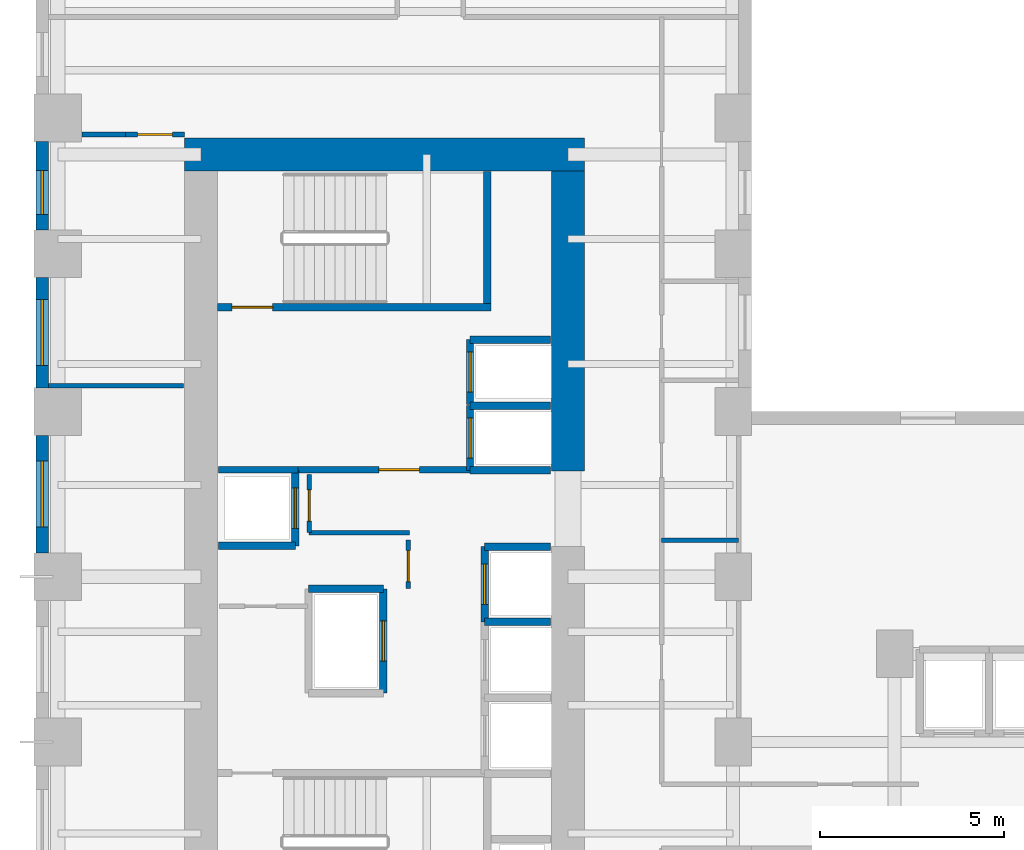
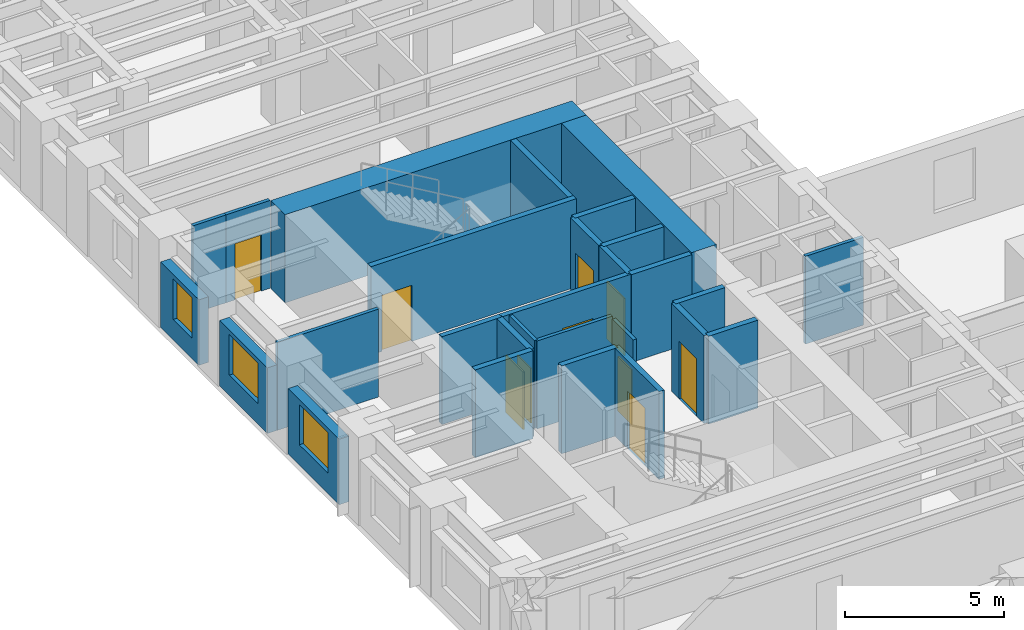
# One storey, part 5 of 11: 28 walls, 10 doors, 3 windows, 13 openings.
"""IFC4 building model written with IfcOpenShell, lengths in metres."""

from ifc_helpers import new_model, si_unit, direction, frame, frame_2d, origin, place, context, subcontext, project, spatial, rectangle, extrude, source, transform, mapped, material, layer, layer_set, type_object, element, fill, save


model = new_model("IFC4")

# Units and contexts
model_context = context("Model", 3, precision=1e-05, world=origin(), true_north=direction((0.0, 1.0)))
body_context = subcontext(model_context, "Body", "Model", "MODEL_VIEW")
ifc_project = project(units=[si_unit("LENGTHUNIT", "METRE"), si_unit("AREAUNIT", "SQUARE_METRE"), si_unit("VOLUMEUNIT", "CUBIC_METRE"), si_unit("PLANEANGLEUNIT", "RADIAN"), si_unit("MASSUNIT", "GRAM", prefix="KILO")], contexts=[model_context])

# Site, building, storey
site_placement = place(None, origin())
site = spatial("IfcSite", under=ifc_project, at=site_placement, CompositionType="ELEMENT")
building_placement = place(site_placement, origin())
building = spatial("IfcBuilding", under=site, at=building_placement, Name="Kharzan Plaza Tower", CompositionType="ELEMENT")
storey_placement = place(building_placement, frame((0.0, 0.0, 54.89990234375)))
storey = spatial("IfcBuildingStorey", under=building, at=storey_placement, Name="L14", CompositionType="ELEMENT", Elevation=54.89990234375)

# Wall, opening, window
ifc_material_1 = material(Name="Concrete C40/50", Category="concrete")
ifc_layer_1 = layer(ifc_material_1, 0.35009765625)
ifc_layer_set_1 = layer_set([ifc_layer_1], Name="Concrete C40/50")
wall_type_1 = type_object("IfcWallType", Name="WL-EXT-MAS-Z1", PredefinedType="SOLIDWALL", material=ifc_layer_set_1)
wall_1_placement = place(storey_placement, frame((0.175048828125, 29.85205078125, 0.0), z_axis=(0.0, 0.0, 1.0), x_axis=(0.0, -1.0, 0.0)))
wall_1 = element("IfcWall", 1, at=wall_1_placement, inside=storey, type_object=wall_type_1, Name="L14 Masonry-Frame Exterior Wall 14", PredefinedType="SOLIDWALL", context=body_context, shape_type="SweptSolid", body=[
    extrude(rectangle(XDim=2.404052734375, YDim=0.35009765625, at=frame_2d((1.2021484375, 0.0))), origin(), (0.0, 0.0, 1.0), 2.510009765625),
])
opening_1_placement = place(wall_1_placement, frame((0.786865234375, 0.0, 0.780029296875)))
opening_1 = element("IfcOpeningElement", 2, at=opening_1_placement, cuts=wall_1, Name="Opening W3", PredefinedType="OPENING", context=body_context, shape_type="SweptSolid", body=[
    extrude(rectangle(XDim=1.199951171875, YDim=1.550048828125, at=frame_2d((0.60009765625, 0.77490234375))), frame((0.0, 0.18505859375, 0.0), z_axis=(0.0, -1.0, 0.0), x_axis=(1.0, 0.0, 0.0)), (0.0, 0.0, 1.0), 0.3701171875),
])
ifc_material_2 = material(Name="Low-E Double Glazing", Category="glass")
window_type_1 = type_object("IfcWindowType", Name="WN-REC-1200x2100", PartitioningType="SINGLE_PANEL", PredefinedType="WINDOW", material=ifc_material_2)
shared_shape_1 = source(origin(), body_context, "Body", "SweptSolid", [
    extrude(rectangle(XDim=1.199951171875, YDim=1.550048828125, at=frame_2d((0.60009765625, 0.77490234375))), frame((0.0, 0.030029296875, 0.0), z_axis=(0.0, -1.0, 0.0), x_axis=(1.0, 0.0, 0.0)), (0.0, 0.0, 1.0), 0.06005859375),
])
window_1_placement = place(opening_1_placement, origin())
window_1 = element("IfcWindow", 3, at=window_1_placement, inside=storey, type_object=window_type_1, Name="L14 Recessed Solar-Control Window 14-1", OverallHeight=1.550048828125, OverallWidth=1.199951171875, PartitioningType="SINGLE_PANEL", PredefinedType="WINDOW", context=body_context, shape_type="MappedRepresentation", body=[
    mapped(shared_shape_1, transform((0.0, 0.0, 0.0), x_axis=(1.0, 0.0, 0.0), y_axis=(0.0, 1.0, 0.0), z_axis=(0.0, 0.0, 1.0))),
])
fill(opening_1, window_1)

wall_2_placement = place(storey_placement, frame((0.175048828125, 26.152099609375, 0.0), z_axis=(0.0, 0.0, 1.0), x_axis=(0.0, -1.0, 0.0)))
wall_2 = element("IfcWall", 4, at=wall_2_placement, inside=storey, type_object=wall_type_1, Name="L14 Masonry-Frame Exterior Wall 15", PredefinedType="SOLIDWALL", context=body_context, shape_type="SweptSolid", body=[
    extrude(rectangle(XDim=3.004150390625, YDim=0.35009765625, at=frame_2d((1.501953125, 0.0))), origin(), (0.0, 0.0, 1.0), 2.510009765625),
])
opening_2_placement = place(wall_2_placement, frame((0.60205078125, 0.0, 0.780029296875)))
opening_2 = element("IfcOpeningElement", 5, at=opening_2_placement, cuts=wall_2, Name="Opening W1", PredefinedType="OPENING", context=body_context, shape_type="SweptSolid", body=[
    extrude(rectangle(XDim=1.800048828125, YDim=1.550048828125, at=frame_2d((0.89990234375, 0.77490234375))), frame((0.0, 0.18505859375, 0.0), z_axis=(0.0, -1.0, 0.0), x_axis=(1.0, 0.0, 0.0)), (0.0, 0.0, 1.0), 0.3701171875),
])
window_type_2 = type_object("IfcWindowType", Name="WN-REC-1800x2100", PartitioningType="SINGLE_PANEL", PredefinedType="WINDOW", material=ifc_material_2)
shared_shape_2 = source(origin(), body_context, "Body", "SweptSolid", [
    extrude(rectangle(XDim=1.800048828125, YDim=1.550048828125, at=frame_2d((0.89990234375, 0.77490234375))), frame((0.0, 0.030029296875, 0.0), z_axis=(0.0, -1.0, 0.0), x_axis=(1.0, 0.0, 0.0)), (0.0, 0.0, 1.0), 0.06005859375),
])
window_2_placement = place(opening_2_placement, origin())
window_2 = element("IfcWindow", 6, at=window_2_placement, inside=storey, type_object=window_type_2, Name="L14 Recessed Solar-Control Window 15-1", OverallHeight=1.550048828125, OverallWidth=1.800048828125, PartitioningType="SINGLE_PANEL", PredefinedType="WINDOW", context=body_context, shape_type="MappedRepresentation", body=[
    mapped(shared_shape_2, transform((0.0, 0.0, 0.0), x_axis=(1.0, 0.0, 0.0), y_axis=(0.0, 1.0, 0.0), z_axis=(0.0, 0.0, 1.0))),
])
fill(opening_2, window_2)

wall_3_placement = place(storey_placement, frame((0.175048828125, 21.85205078125, 0.0), z_axis=(0.0, 0.0, 1.0), x_axis=(0.0, -1.0, 0.0)))
wall_3 = element("IfcWall", 7, at=wall_3_placement, inside=storey, type_object=wall_type_1, Name="L14 Masonry-Frame Exterior Wall 16", PredefinedType="SOLIDWALL", context=body_context, shape_type="SweptSolid", body=[
    extrude(rectangle(XDim=3.2041015625, YDim=0.35009765625, at=frame_2d((1.60205078125, 0.0))), origin(), (0.0, 0.0, 1.0), 2.510009765625),
])
opening_3_placement = place(wall_3_placement, frame((0.701904296875, 0.0, 0.780029296875)))
opening_3 = element("IfcOpeningElement", 8, at=opening_3_placement, cuts=wall_3, Name="Opening W1", PredefinedType="OPENING", context=body_context, shape_type="SweptSolid", body=[
    extrude(rectangle(XDim=1.800048828125, YDim=1.550048828125, at=frame_2d((0.89990234375, 0.77490234375))), frame((0.0, 0.18505859375, 0.0), z_axis=(0.0, -1.0, 0.0), x_axis=(1.0, 0.0, 0.0)), (0.0, 0.0, 1.0), 0.3701171875),
])
window_3_placement = place(opening_3_placement, origin())
window_3 = element("IfcWindow", 9, at=window_3_placement, inside=storey, type_object=window_type_2, Name="L14 Recessed Solar-Control Window 16-1", OverallHeight=1.550048828125, OverallWidth=1.800048828125, PartitioningType="SINGLE_PANEL", PredefinedType="WINDOW", context=body_context, shape_type="MappedRepresentation", body=[
    mapped(shared_shape_2, transform((0.0, 0.0, 0.0), x_axis=(1.0, 0.0, 0.0), y_axis=(0.0, 1.0, 0.0), z_axis=(0.0, 0.0, 1.0))),
])
fill(opening_3, window_3)

# Wall, opening, door
ifc_layer_2 = layer(ifc_material_1, 0.179931640625)
ifc_layer_set_2 = layer_set([ifc_layer_2], Name="Concrete C40/50")
wall_type_2 = type_object("IfcWallType", Name="WL-INT-FIRE-180", PredefinedType="PARTITIONING", material=ifc_layer_set_2)
wall_4_placement = place(storey_placement, frame((7.14990234375, 20.919921875, 0.0), z_axis=(0.0, 0.0, 1.0), x_axis=(1.0, 0.0, 0.0)))
wall_4 = element("IfcWall", 10, at=wall_4_placement, inside=storey, type_object=wall_type_2, Name="L14 Interior Partition CA-FF-S", PredefinedType="PARTITIONING", context=body_context, shape_type="SweptSolid", body=[
    extrude(rectangle(XDim=4.68017578125, YDim=0.179931640625, at=frame_2d((2.340087890625, 0.0))), origin(), (0.0, 0.0, 1.0), 3.364990234375),
])
opening_4_placement = place(wall_4_placement, frame((2.199951171875, 0.0, 0.0)))
opening_4 = element("IfcOpeningElement", 11, at=opening_4_placement, cuts=wall_4, Name="Opening FD1", PredefinedType="OPENING", context=body_context, shape_type="SweptSolid", body=[
    extrude(rectangle(XDim=1.10009765625, YDim=2.14990234375, at=frame_2d((0.550048828125, 1.074951171875))), frame((0.0, 0.099853515625, 0.0), z_axis=(0.0, -1.0, 0.0), x_axis=(1.0, 0.0, 0.0)), (0.0, 0.0, 1.0), 0.199951171875),
])
ifc_material_3 = material(Name="Fire-Rated Acoustic Vision-Panel Steel", Category="steel")
door_type_1 = type_object("IfcDoorType", Name="DR-FIRE-LOBBY", OperationType="NOTDEFINED", PredefinedType="DOOR", material=ifc_material_3)
shared_shape_3 = source(origin(), body_context, "Body", "SweptSolid", [
    extrude(rectangle(XDim=1.10009765625, YDim=2.14990234375, at=frame_2d((0.550048828125, 1.074951171875))), frame((0.0, 0.02490234375, 0.0), z_axis=(0.0, -1.0, 0.0), x_axis=(1.0, 0.0, 0.0)), (0.0, 0.0, 1.0), 0.050048828125),
])
door_1_placement = place(opening_4_placement, origin())
door_1 = element("IfcDoor", 12, at=door_1_placement, inside=storey, type_object=door_type_1, Name="L14 Firefighting Lobby Door", OperationType="SINGLE_SWING_LEFT", OverallHeight=2.14990234375, OverallWidth=1.10009765625, PredefinedType="DOOR", context=body_context, shape_type="MappedRepresentation", body=[
    mapped(shared_shape_3, transform((0.0, 0.0, 0.0), x_axis=(1.0, 0.0, 0.0), y_axis=(0.0, 1.0, 0.0), z_axis=(0.0, 0.0, 1.0))),
])
fill(opening_4, door_1)

ifc_material_4 = material(Name="Fire-Rated Gypsum Board Partition", Category="gypsum")
ifc_layer_3 = layer(ifc_material_4, 0.125)
ifc_layer_set_3 = layer_set([ifc_layer_3], Name="Fire-Rated Gypsum Board Partition")
wall_type_3 = type_object("IfcWallType", Name="WL-INT-PART-125", PredefinedType="PARTITIONING", material=ifc_layer_set_3)
wall_5_placement = place(storey_placement, frame((10.14990234375, 17.679931640625, 0.0), z_axis=(0.0, 0.0, 1.0), x_axis=(0.0, 1.0, 0.0)))
wall_5 = element("IfcWall", 13, at=wall_5_placement, inside=storey, type_object=wall_type_3, Name="L14 Interior Partition CA-K2A", PredefinedType="PARTITIONING", context=body_context, shape_type="SweptSolid", body=[
    extrude(rectangle(XDim=1.320068359375, YDim=0.125, at=frame_2d((0.66015625, 0.0))), origin(), (0.0, 0.0, 1.0), 3.364990234375),
])
opening_5_placement = place(wall_5_placement, frame((0.18505859375, 0.0, 0.0)))
opening_5 = element("IfcOpeningElement", 14, at=opening_5_placement, cuts=wall_5, Name="Opening RD1", PredefinedType="OPENING", context=body_context, shape_type="SweptSolid", body=[
    extrude(rectangle(XDim=0.85009765625, YDim=2.10009765625, at=frame_2d((0.425048828125, 1.050048828125))), frame((0.0, 0.072509765625, 0.0), z_axis=(0.0, -1.0, 0.0), x_axis=(1.0, 0.0, 0.0)), (0.0, 0.0, 1.0), 0.14501953125),
])
ifc_material_5 = material(Name="Powder-Coated Fire-Rated Steel", Category="steel")
door_type_2 = type_object("IfcDoorType", Name="DR-RISER-900", OperationType="NOTDEFINED", PredefinedType="DOOR", material=ifc_material_5)
shared_shape_4 = source(origin(), body_context, "Body", "SweptSolid", [
    extrude(rectangle(XDim=0.85009765625, YDim=2.10009765625, at=frame_2d((0.425048828125, 1.050048828125))), frame((0.0, 0.02490234375, 0.0), z_axis=(0.0, -1.0, 0.0), x_axis=(1.0, 0.0, 0.0)), (0.0, 0.0, 1.0), 0.050048828125),
])
door_2_placement = place(opening_5_placement, origin())
door_2 = element("IfcDoor", 15, at=door_2_placement, inside=storey, type_object=door_type_2, Name="L14 Core Mechanical Store Door", OperationType="SINGLE_SWING_RIGHT", OverallHeight=2.10009765625, OverallWidth=0.85009765625, PredefinedType="DOOR", context=body_context, shape_type="MappedRepresentation", body=[
    mapped(shared_shape_4, transform((0.0, 0.0, 0.0), x_axis=(1.0, 0.0, 0.0), y_axis=(0.0, 1.0, 0.0), z_axis=(0.0, 0.0, 1.0))),
])
fill(opening_5, door_2)

wall_6_placement = place(storey_placement, frame((7.449951171875, 19.199951171875, 0.0), z_axis=(0.0, 0.0, 1.0), x_axis=(0.0, 1.0, 0.0)))
wall_6 = element("IfcWall", 16, at=wall_6_placement, inside=storey, type_object=wall_type_3, Name="L14 Interior Partition CA-K2B", PredefinedType="PARTITIONING", context=body_context, shape_type="SweptSolid", body=[
    extrude(rectangle(XDim=1.580078125, YDim=0.125, at=frame_2d((0.7900390625, 0.0))), origin(), (0.0, 0.0, 1.0), 3.364990234375),
])
opening_6_placement = place(wall_6_placement, frame((0.31494140625, 0.0, 0.0)))
opening_6 = element("IfcOpeningElement", 17, at=opening_6_placement, cuts=wall_6, Name="Opening RD1", PredefinedType="OPENING", context=body_context, shape_type="SweptSolid", body=[
    extrude(rectangle(XDim=0.85009765625, YDim=2.10009765625, at=frame_2d((0.425048828125, 1.050048828125))), frame((0.0, 0.072509765625, 0.0), z_axis=(0.0, -1.0, 0.0), x_axis=(1.0, 0.0, 0.0)), (0.0, 0.0, 1.0), 0.14501953125),
])
door_3_placement = place(opening_6_placement, origin())
door_3 = element("IfcDoor", 18, at=door_3_placement, inside=storey, type_object=door_type_2, Name="L14 Core Plant Store Door", OperationType="SINGLE_SWING_LEFT", OverallHeight=2.10009765625, OverallWidth=0.85009765625, PredefinedType="DOOR", context=body_context, shape_type="MappedRepresentation", body=[
    mapped(shared_shape_4, transform((0.0, 0.0, 0.0), x_axis=(1.0, 0.0, 0.0), y_axis=(0.0, 1.0, 0.0), z_axis=(0.0, 0.0, 1.0))),
])
fill(opening_6, door_3)

wall_7_placement = place(storey_placement, frame((2.449951171875, 30.050048828125, 0.0), z_axis=(0.0, 0.0, 1.0), x_axis=(1.0, 0.0, 0.0)))
wall_7 = element("IfcWall", 19, at=wall_7_placement, inside=storey, type_object=wall_type_3, Name="L14 Interior Partition SH-RWND", PredefinedType="PARTITIONING", context=body_context, shape_type="SweptSolid", body=[
    extrude(rectangle(XDim=1.60009765625, YDim=0.125, at=frame_2d((0.800048828125, 0.0))), origin(), (0.0, 0.0, 1.0), 3.364990234375),
])
opening_7_placement = place(wall_7_placement, frame((0.324951171875, 0.0, 0.0)))
opening_7 = element("IfcOpeningElement", 20, at=opening_7_placement, cuts=wall_7, Name="Opening OD1", PredefinedType="OPENING", context=body_context, shape_type="SweptSolid", body=[
    extrude(rectangle(XDim=0.949951171875, YDim=2.14990234375, at=frame_2d((0.47509765625, 1.074951171875))), frame((0.0, 0.072509765625, 0.0), z_axis=(0.0, -1.0, 0.0), x_axis=(1.0, 0.0, 0.0)), (0.0, 0.0, 1.0), 0.14501953125),
])
ifc_material_6 = material(Name="Acoustic Solid-Core Stained Oak", Category="timber")
door_type_3 = type_object("IfcDoorType", Name="DR-OFF-SINGLE", OperationType="NOTDEFINED", PredefinedType="DOOR", material=ifc_material_6)
shared_shape_5 = source(origin(), body_context, "Body", "SweptSolid", [
    extrude(rectangle(XDim=0.949951171875, YDim=2.14990234375, at=frame_2d((0.47509765625, 1.074951171875))), frame((0.0, 0.02490234375, 0.0), z_axis=(0.0, -1.0, 0.0), x_axis=(1.0, 0.0, 0.0)), (0.0, 0.0, 1.0), 0.050048828125),
])
door_4_placement = place(opening_7_placement, origin())
door_4 = element("IfcDoor", 21, at=door_4_placement, inside=storey, type_object=door_type_3, Name="L14 West Office 2 Door", OperationType="SINGLE_SWING_LEFT", OverallHeight=2.14990234375, OverallWidth=0.949951171875, PredefinedType="DOOR", context=body_context, shape_type="MappedRepresentation", body=[
    mapped(shared_shape_5, transform((0.0, 0.0, 0.0), x_axis=(1.0, 0.0, 0.0), y_axis=(0.0, 1.0, 0.0), z_axis=(0.0, 0.0, 1.0))),
])
fill(opening_7, door_4)

ifc_layer_4 = layer(ifc_material_1, 0.199951171875)
ifc_layer_set_4 = layer_set([ifc_layer_4], Name="Concrete C40/50")
wall_type_4 = type_object("IfcWallType", Name="WL-INT-SHAFT-200", PredefinedType="PARTITIONING", material=ifc_layer_set_4)
wall_8_placement = place(storey_placement, frame((11.830078125, 20.89990234375, 0.0), z_axis=(0.0, 0.0, 1.0), x_axis=(0.0, 1.0, 0.0)))
wall_8 = element("IfcWall", 22, at=wall_8_placement, inside=storey, type_object=wall_type_4, Name="L14 Interior Partition SHF-FFL-1-W", PredefinedType="PARTITIONING", context=body_context, shape_type="SweptSolid", body=[
    extrude(rectangle(XDim=1.760009765625, YDim=0.199951171875, at=frame_2d((0.8798828125, 0.0))), origin(), (0.0, 0.0, 1.0), 3.364990234375),
])
opening_8_placement = place(wall_8_placement, frame((0.330078125, 0.0, 0.0)))
opening_8 = element("IfcOpeningElement", 23, at=opening_8_placement, cuts=wall_8, Name="Opening LD", PredefinedType="OPENING", context=body_context, shape_type="SweptSolid", body=[
    extrude(rectangle(XDim=1.10009765625, YDim=2.199951171875, at=frame_2d((0.550048828125, 1.10009765625))), frame((0.0, 0.10986328125, 0.0), z_axis=(0.0, -1.0, 0.0), x_axis=(1.0, 0.0, 0.0)), (0.0, 0.0, 1.0), 0.219970703125),
])
ifc_material_7 = material(Name="Brushed Stainless Steel", Category="steel")
door_type_4 = type_object("IfcDoorType", Name="DR-LIFT-SLIDE", OperationType="SLIDING_TO_LEFT", PredefinedType="DOOR", material=ifc_material_7)
shared_shape_6 = source(origin(), body_context, "Body", "SweptSolid", [
    extrude(rectangle(XDim=1.10009765625, YDim=2.199951171875, at=frame_2d((0.550048828125, 1.10009765625))), frame((0.0, 0.02490234375, 0.0), z_axis=(0.0, -1.0, 0.0), x_axis=(1.0, 0.0, 0.0)), (0.0, 0.0, 1.0), 0.050048828125),
])
door_5_placement = place(opening_8_placement, origin())
door_5 = element("IfcDoor", 24, at=door_5_placement, inside=storey, type_object=door_type_4, Name="L14 Firefighting Lift FFL-1 Sliding Landing Door", OperationType="SLIDING_TO_LEFT", OverallHeight=2.199951171875, OverallWidth=1.10009765625, PredefinedType="DOOR", context=body_context, shape_type="MappedRepresentation", body=[
    mapped(shared_shape_6, transform((0.0, 0.0, 0.0), x_axis=(1.0, 0.0, 0.0), y_axis=(0.0, 1.0, 0.0), z_axis=(0.0, 0.0, 1.0))),
])
fill(opening_8, door_5)

wall_9_placement = place(storey_placement, frame((11.830078125, 22.699951171875, 0.0), z_axis=(0.0, 0.0, 1.0), x_axis=(0.0, 1.0, 0.0)))
wall_9 = element("IfcWall", 25, at=wall_9_placement, inside=storey, type_object=wall_type_4, Name="L14 Interior Partition SHF-FFL-2-W", PredefinedType="PARTITIONING", context=body_context, shape_type="SweptSolid", body=[
    extrude(rectangle(XDim=1.760009765625, YDim=0.199951171875, at=frame_2d((0.8798828125, 0.0))), origin(), (0.0, 0.0, 1.0), 3.364990234375),
])
opening_9_placement = place(wall_9_placement, frame((0.330078125, 0.0, 0.0)))
opening_9 = element("IfcOpeningElement", 26, at=opening_9_placement, cuts=wall_9, Name="Opening LD", PredefinedType="OPENING", context=body_context, shape_type="SweptSolid", body=[
    extrude(rectangle(XDim=1.10009765625, YDim=2.199951171875, at=frame_2d((0.550048828125, 1.10009765625))), frame((0.0, 0.10986328125, 0.0), z_axis=(0.0, -1.0, 0.0), x_axis=(1.0, 0.0, 0.0)), (0.0, 0.0, 1.0), 0.219970703125),
])
door_6_placement = place(opening_9_placement, origin())
door_6 = element("IfcDoor", 27, at=door_6_placement, inside=storey, type_object=door_type_4, Name="L14 Firefighting Lift FFL-2 Sliding Landing Door", OperationType="SLIDING_TO_LEFT", OverallHeight=2.199951171875, OverallWidth=1.10009765625, PredefinedType="DOOR", context=body_context, shape_type="MappedRepresentation", body=[
    mapped(shared_shape_6, transform((0.0, 0.0, 0.0), x_axis=(1.0, 0.0, 0.0), y_axis=(0.0, 1.0, 0.0), z_axis=(0.0, 0.0, 1.0))),
])
fill(opening_9, door_6)

wall_10_placement = place(storey_placement, frame((12.22998046875, 16.77001953125, 0.0), z_axis=(0.0, 0.0, 1.0), x_axis=(0.0, 1.0, 0.0)))
wall_10 = element("IfcWall", 28, at=wall_10_placement, inside=storey, type_object=wall_type_4, Name="L14 Interior Partition SHF-PL-H3-W", PredefinedType="PARTITIONING", context=body_context, shape_type="SweptSolid", body=[
    extrude(rectangle(XDim=2.050048828125, YDim=0.199951171875, at=frame_2d((1.02490234375, 0.0))), origin(), (0.0, 0.0, 1.0), 3.364990234375),
])
opening_10_placement = place(wall_10_placement, frame((0.47509765625, 0.0, 0.0)))
opening_10 = element("IfcOpeningElement", 29, at=opening_10_placement, cuts=wall_10, Name="Opening LD", PredefinedType="OPENING", context=body_context, shape_type="SweptSolid", body=[
    extrude(rectangle(XDim=1.10009765625, YDim=2.199951171875, at=frame_2d((0.550048828125, 1.10009765625))), frame((0.0, 0.10986328125, 0.0), z_axis=(0.0, -1.0, 0.0), x_axis=(1.0, 0.0, 0.0)), (0.0, 0.0, 1.0), 0.219970703125),
])
door_7_placement = place(opening_10_placement, origin())
door_7 = element("IfcDoor", 30, at=door_7_placement, inside=storey, type_object=door_type_4, Name="L14 High-Rise Passenger Lift PL-H3 Sliding Landing Door", OperationType="SLIDING_TO_LEFT", OverallHeight=2.199951171875, OverallWidth=1.10009765625, PredefinedType="DOOR", context=body_context, shape_type="MappedRepresentation", body=[
    mapped(shared_shape_6, transform((0.0, 0.0, 0.0), x_axis=(1.0, 0.0, 0.0), y_axis=(0.0, 1.0, 0.0), z_axis=(0.0, 0.0, 1.0))),
])
fill(opening_10, door_7)

wall_11_placement = place(storey_placement, frame((7.070068359375, 18.840087890625, 0.0), z_axis=(0.0, 0.0, 1.0), x_axis=(0.0, 1.0, 0.0)))
wall_11 = element("IfcWall", 31, at=wall_11_placement, inside=storey, type_object=wall_type_4, Name="L14 Interior Partition SHF-PL-H4-E", PredefinedType="PARTITIONING", context=body_context, shape_type="SweptSolid", body=[
    extrude(rectangle(XDim=2.059814453125, YDim=0.199951171875, at=frame_2d((1.02978515625, 0.0))), origin(), (0.0, 0.0, 1.0), 3.364990234375),
])
opening_11_placement = place(wall_11_placement, frame((0.47998046875, 0.0, 0.0)))
opening_11 = element("IfcOpeningElement", 32, at=opening_11_placement, cuts=wall_11, Name="Opening LD", PredefinedType="OPENING", context=body_context, shape_type="SweptSolid", body=[
    extrude(rectangle(XDim=1.10009765625, YDim=2.199951171875, at=frame_2d((0.550048828125, 1.10009765625))), frame((0.0, 0.10986328125, 0.0), z_axis=(0.0, -1.0, 0.0), x_axis=(1.0, 0.0, 0.0)), (0.0, 0.0, 1.0), 0.219970703125),
])
door_8_placement = place(opening_11_placement, origin())
door_8 = element("IfcDoor", 33, at=door_8_placement, inside=storey, type_object=door_type_4, Name="L14 High-Rise Passenger Lift PL-H4 Sliding Landing Door", OperationType="SLIDING_TO_LEFT", OverallHeight=2.199951171875, OverallWidth=1.10009765625, PredefinedType="DOOR", context=body_context, shape_type="MappedRepresentation", body=[
    mapped(shared_shape_6, transform((0.0, 0.0, 0.0), x_axis=(1.0, 0.0, 0.0), y_axis=(0.0, 1.0, 0.0), z_axis=(0.0, 0.0, 1.0))),
])
fill(opening_11, door_8)

wall_12_placement = place(storey_placement, frame((9.469970703125, 14.830078125, 0.0), z_axis=(0.0, 0.0, 1.0), x_axis=(0.0, 1.0, 0.0)))
wall_12 = element("IfcWall", 34, at=wall_12_placement, inside=storey, type_object=wall_type_4, Name="L14 Interior Partition SHF-SVL-1-E", PredefinedType="PARTITIONING", context=body_context, shape_type="SweptSolid", body=[
    extrude(rectangle(XDim=2.83984375, YDim=0.199951171875, at=frame_2d((1.419921875, 0.0))), origin(), (0.0, 0.0, 1.0), 3.364990234375),
])
opening_12_placement = place(wall_12_placement, frame((0.8701171875, 0.0, 0.0)))
opening_12 = element("IfcOpeningElement", 35, at=opening_12_placement, cuts=wall_12, Name="Opening LD", PredefinedType="OPENING", context=body_context, shape_type="SweptSolid", body=[
    extrude(rectangle(XDim=1.10009765625, YDim=2.199951171875, at=frame_2d((0.550048828125, 1.10009765625))), frame((0.0, 0.10986328125, 0.0), z_axis=(0.0, -1.0, 0.0), x_axis=(1.0, 0.0, 0.0)), (0.0, 0.0, 1.0), 0.219970703125),
])
door_9_placement = place(opening_12_placement, origin())
door_9 = element("IfcDoor", 36, at=door_9_placement, inside=storey, type_object=door_type_4, Name="L14 Service Lift SVL-1 Sliding Landing Door", OperationType="SLIDING_TO_LEFT", OverallHeight=2.199951171875, OverallWidth=1.10009765625, PredefinedType="DOOR", context=body_context, shape_type="MappedRepresentation", body=[
    mapped(shared_shape_6, transform((0.0, 0.0, 0.0), x_axis=(1.0, 0.0, 0.0), y_axis=(0.0, 1.0, 0.0), z_axis=(0.0, 0.0, 1.0))),
])
fill(opening_12, door_9)

ifc_material_8 = material(Name="Concrete C50/60", Category="concrete")
ifc_layer_5 = layer(ifc_material_8, 0.199951171875)
ifc_layer_set_5 = layer_set([ifc_layer_5], Name="Concrete C50/60")
wall_type_5 = type_object("IfcWallType", Name="WL-SHAFT-RC200", PredefinedType="SHEAR", material=ifc_layer_set_5)
wall_13_placement = place(storey_placement, frame((4.951904296875, 25.344970703125, 0.0), z_axis=(0.0, 0.0, 1.0), x_axis=(1.0, 0.0, 0.0)))
wall_13 = element("IfcWall", 37, at=wall_13_placement, inside=storey, type_object=wall_type_5, Name="L14 Stair ST-2 South RC Shaft Wall", PredefinedType="SHEAR", context=body_context, shape_type="SweptSolid", body=[
    extrude(rectangle(XDim=7.453125, YDim=0.199951171875, at=frame_2d((3.7265625, 0.0))), origin(), (0.0, 0.0, 1.0), 3.380126953125),
])
opening_13_placement = place(wall_13_placement, frame((0.39990234375, 0.0, 0.0)))
opening_13 = element("IfcOpeningElement", 38, at=opening_13_placement, cuts=wall_13, Name="Opening SD1", PredefinedType="OPENING", context=body_context, shape_type="SweptSolid", body=[
    extrude(rectangle(XDim=1.10009765625, YDim=2.14990234375, at=frame_2d((0.550048828125, 1.074951171875))), frame((0.0, 0.10986328125, 0.0), z_axis=(0.0, -1.0, 0.0), x_axis=(1.0, 0.0, 0.0)), (0.0, 0.0, 1.0), 0.219970703125),
])
ifc_material_9 = material(Name="Fire-Rated Hollow Galvanized Steel", Category="steel")
door_type_5 = type_object("IfcDoorType", Name="DR-STAIR-FD120", OperationType="NOTDEFINED", PredefinedType="DOOR", material=ifc_material_9)
shared_shape_7 = source(origin(), body_context, "Body", "SweptSolid", [
    extrude(rectangle(XDim=1.10009765625, YDim=2.14990234375, at=frame_2d((0.550048828125, 1.074951171875))), frame((0.0, 0.02490234375, 0.0), z_axis=(0.0, -1.0, 0.0), x_axis=(1.0, 0.0, 0.0)), (0.0, 0.0, 1.0), 0.050048828125),
])
door_10_placement = place(opening_13_placement, origin())
door_10 = element("IfcDoor", 39, at=door_10_placement, inside=storey, type_object=door_type_5, Name="L14 Stair ST-2 Fire Exit Door", OperationType="SINGLE_SWING_RIGHT", OverallHeight=2.14990234375, OverallWidth=1.10009765625, PredefinedType="DOOR", context=body_context, shape_type="MappedRepresentation", body=[
    mapped(shared_shape_7, transform((0.0, 0.0, 0.0), x_axis=(1.0, 0.0, 0.0), y_axis=(0.0, 1.0, 0.0), z_axis=(0.0, 0.0, 1.0))),
])
fill(opening_13, door_10)

# Walls
shared_shape_8 = source(origin(), body_context, "Body", "SweptSolid", [
    extrude(rectangle(XDim=2.169921875, YDim=0.179931640625, at=frame_2d((1.0849609375, 0.0))), origin(), (0.0, 0.0, 1.0), 3.364990234375),
])
wall_14_placement = place(storey_placement, frame((4.97998046875, 20.919921875, 0.0), z_axis=(0.0, 0.0, 1.0), x_axis=(1.0, 0.0, 0.0)))
element("IfcWall", 40, at=wall_14_placement, inside=storey, type_object=wall_type_2, Name="L14 Interior Partition CA-FF-SW", PredefinedType="PARTITIONING", context=body_context, shape_type="MappedRepresentation", body=[
    mapped(shared_shape_8, transform((0.0, 0.0, 0.0), x_axis=(1.0, 0.0, 0.0), y_axis=(0.0, 1.0, 0.0), z_axis=(0.0, 0.0, 1.0))),
])
shared_shape_9 = source(origin(), body_context, "Body", "SweptSolid", [
    extrude(rectangle(XDim=2.72998046875, YDim=0.125, at=frame_2d((1.364990234375, 0.0))), origin(), (0.0, 0.0, 1.0), 3.364990234375),
])
wall_15_placement = place(storey_placement, frame((7.449951171875, 19.199951171875, 0.0), z_axis=(0.0, 0.0, 1.0), x_axis=(1.0, 0.0, 0.0)))
element("IfcWall", 41, at=wall_15_placement, inside=storey, type_object=wall_type_3, Name="L14 Interior Partition CA-K2M", PredefinedType="PARTITIONING", context=body_context, shape_type="MappedRepresentation", body=[
    mapped(shared_shape_9, transform((0.0, 0.0, 0.0), x_axis=(1.0, 0.0, 0.0), y_axis=(0.0, 1.0, 0.0), z_axis=(0.0, 0.0, 1.0))),
])
shared_shape_10 = source(origin(), body_context, "Body", "SweptSolid", [
    extrude(rectangle(XDim=1.18994140625, YDim=0.125, at=frame_2d((0.594970703125, 0.0))), origin(), (0.0, 0.0, 1.0), 3.364990234375),
])
wall_16_placement = place(storey_placement, frame((1.260009765625, 30.050048828125, 0.0), z_axis=(0.0, 0.0, 1.0), x_axis=(1.0, 0.0, 0.0)))
element("IfcWall", 42, at=wall_16_placement, inside=storey, type_object=wall_type_3, Name="L14 Interior Partition SH-RWN0", PredefinedType="PARTITIONING", context=body_context, shape_type="MappedRepresentation", body=[
    mapped(shared_shape_10, transform((0.0, 0.0, 0.0), x_axis=(1.0, 0.0, 0.0), y_axis=(0.0, 1.0, 0.0), z_axis=(0.0, 0.0, 1.0))),
])
shared_shape_11 = source(origin(), body_context, "Body", "SweptSolid", [
    extrude(rectangle(XDim=2.18994140625, YDim=0.199951171875, at=frame_2d((1.094970703125, 0.0))), origin(), (0.0, 0.0, 1.0), 3.364990234375),
])
for number, where, z_axis, x_axis, name in (
    (43, (11.830078125, 22.659912109375, 0.0), (0.0, 0.0, 1.0), (1.0, 0.0, 0.0), "L14 Interior Partition SHF-FFL-1-N"),
    (44, (11.830078125, 20.89990234375, 0.0), (0.0, 0.0, 1.0), (1.0, 0.0, 0.0), "L14 Interior Partition SHF-FFL-1-S"),
    (45, (11.830078125, 24.4599609375, 0.0), (0.0, 0.0, 1.0), (1.0, 0.0, 0.0), "L14 Interior Partition SHF-FFL-2-N"),
):
    element("IfcWall", number, at=place(storey_placement, frame(where, z_axis=z_axis, x_axis=x_axis)), inside=storey, type_object=wall_type_4, Name=name, PredefinedType="PARTITIONING", context=body_context, shape_type="MappedRepresentation", body=[
        mapped(shared_shape_11, transform((0.0, 0.0, 0.0), x_axis=(1.0, 0.0, 0.0), y_axis=(0.0, 1.0, 0.0), z_axis=(0.0, 0.0, 1.0))),
    ])
shared_shape_12 = source(origin(), body_context, "Body", "SweptSolid", [
    extrude(rectangle(XDim=1.7900390625, YDim=0.199951171875, at=frame_2d((0.89501953125, 0.0))), origin(), (0.0, 0.0, 1.0), 3.364990234375),
])
for number, where, z_axis, x_axis, name in (
    (46, (12.22998046875, 16.77001953125, 0.0), (0.0, 0.0, 1.0), (1.0, 0.0, 0.0), "L14 Interior Partition SHF-PL-H2-N"),
    (47, (12.22998046875, 18.820068359375, 0.0), (0.0, 0.0, 1.0), (1.0, 0.0, 0.0), "L14 Interior Partition SHF-PL-H3-N"),
):
    element("IfcWall", number, at=place(storey_placement, frame(where, z_axis=z_axis, x_axis=x_axis)), inside=storey, type_object=wall_type_4, Name=name, PredefinedType="PARTITIONING", context=body_context, shape_type="MappedRepresentation", body=[
        mapped(shared_shape_12, transform((0.0, 0.0, 0.0), x_axis=(1.0, 0.0, 0.0), y_axis=(0.0, 1.0, 0.0), z_axis=(0.0, 0.0, 1.0))),
    ])
shared_shape_13 = source(origin(), body_context, "Body", "SweptSolid", [
    extrude(rectangle(XDim=2.090087890625, YDim=0.199951171875, at=frame_2d((1.044921875, 0.0))), origin(), (0.0, 0.0, 1.0), 3.364990234375),
])
wall_17_placement = place(storey_placement, frame((4.97998046875, 18.840087890625, 0.0), z_axis=(0.0, 0.0, 1.0), x_axis=(1.0, 0.0, 0.0)))
element("IfcWall", 48, at=wall_17_placement, inside=storey, type_object=wall_type_4, Name="L14 Interior Partition SHF-PL-H4-S", PredefinedType="PARTITIONING", context=body_context, shape_type="MappedRepresentation", body=[
    mapped(shared_shape_13, transform((0.0, 0.0, 0.0), x_axis=(1.0, 0.0, 0.0), y_axis=(0.0, 1.0, 0.0), z_axis=(0.0, 0.0, 1.0))),
])
shared_shape_14 = source(origin(), body_context, "Body", "SweptSolid", [
    extrude(rectangle(XDim=2.0400390625, YDim=0.199951171875, at=frame_2d((1.02001953125, 0.0))), origin(), (0.0, 0.0, 1.0), 3.364990234375),
])
wall_18_placement = place(storey_placement, frame((7.429931640625, 17.669921875, 0.0), z_axis=(0.0, 0.0, 1.0), x_axis=(1.0, 0.0, 0.0)))
element("IfcWall", 49, at=wall_18_placement, inside=storey, type_object=wall_type_4, Name="L14 Interior Partition SHF-SVL-1-N", PredefinedType="PARTITIONING", context=body_context, shape_type="MappedRepresentation", body=[
    mapped(shared_shape_14, transform((0.0, 0.0, 0.0), x_axis=(1.0, 0.0, 0.0), y_axis=(0.0, 1.0, 0.0), z_axis=(0.0, 0.0, 1.0))),
])
ifc_material_10 = material(Name="Concrete C60/75", Category="concrete")
ifc_layer_6 = layer(ifc_material_10, 0.89990234375)
ifc_layer_set_6 = layer_set([ifc_layer_6], Name="Concrete C60/75")
wall_type_6 = type_object("IfcWallType", Name="WL-CORE-900", PredefinedType="SHEAR", material=ifc_layer_set_6)
shared_shape_15 = source(origin(), body_context, "Body", "SweptSolid", [
    extrude(rectangle(XDim=8.170166015625, YDim=0.89990234375, at=frame_2d((4.0849609375, 0.0))), origin(), (0.0, 0.0, 1.0), 3.380126953125),
])
wall_19_placement = place(storey_placement, frame((14.5, 20.8798828125, 0.0), z_axis=(0.0, 0.0, 1.0), x_axis=(0.0, 1.0, 0.0)))
element("IfcWall", 50, at=wall_19_placement, inside=storey, type_object=wall_type_6, Name="L14 CORE-A east shear pier 2", PredefinedType="SHEAR", context=body_context, shape_type="MappedRepresentation", body=[
    mapped(shared_shape_15, transform((0.0, 0.0, 0.0), x_axis=(1.0, 0.0, 0.0), y_axis=(0.0, 1.0, 0.0), z_axis=(0.0, 0.0, 1.0))),
])
shared_shape_16 = source(origin(), body_context, "Body", "SweptSolid", [
    extrude(rectangle(XDim=10.89990234375, YDim=0.89990234375, at=frame_2d((5.449951171875, 0.0))), origin(), (0.0, 0.0, 1.0), 3.380126953125),
])
wall_20_placement = place(storey_placement, frame((4.050048828125, 29.5, 0.0), z_axis=(0.0, 0.0, 1.0), x_axis=(1.0, 0.0, 0.0)))
element("IfcWall", 51, at=wall_20_placement, inside=storey, type_object=wall_type_6, Name="L14 CORE-A north RC shear wall", PredefinedType="SHEAR", context=body_context, shape_type="MappedRepresentation", body=[
    mapped(shared_shape_16, transform((0.0, 0.0, 0.0), x_axis=(1.0, 0.0, 0.0), y_axis=(0.0, 1.0, 0.0), z_axis=(0.0, 0.0, 1.0))),
])
shared_shape_17 = source(origin(), body_context, "Body", "SweptSolid", [
    extrude(rectangle(XDim=3.66796875, YDim=0.125, at=frame_2d((1.833984375, 0.0))), origin(), (0.0, 0.0, 1.0), 3.364990234375),
])
wall_21_placement = place(storey_placement, frame((0.35205078125, 23.199951171875, 0.0), z_axis=(0.0, 0.0, 1.0), x_axis=(1.0, 0.0, 0.0)))
element("IfcWall", 52, at=wall_21_placement, inside=storey, type_object=wall_type_3, Name="L14 Interior Partition SH-WMID", PredefinedType="PARTITIONING", context=body_context, shape_type="MappedRepresentation", body=[
    mapped(shared_shape_17, transform((0.0, 0.0, 0.0), x_axis=(1.0, 0.0, 0.0), y_axis=(0.0, 1.0, 0.0), z_axis=(0.0, 0.0, 1.0))),
])
shared_shape_18 = source(origin(), body_context, "Body", "SweptSolid", [
    extrude(rectangle(XDim=3.60302734375, YDim=0.199951171875, at=frame_2d((1.801513671875, 0.0))), origin(), (0.0, 0.0, 1.0), 3.380126953125),
])
wall_22_placement = place(storey_placement, frame((12.304931640625, 25.445068359375, 0.0), z_axis=(0.0, 0.0, 1.0), x_axis=(0.0, 1.0, 0.0)))
element("IfcWall", 53, at=wall_22_placement, inside=storey, type_object=wall_type_5, Name="L14 Stair ST-2 East RC Shaft Wall", PredefinedType="SHEAR", context=body_context, shape_type="MappedRepresentation", body=[
    mapped(shared_shape_18, transform((0.0, 0.0, 0.0), x_axis=(1.0, 0.0, 0.0), y_axis=(0.0, 1.0, 0.0), z_axis=(0.0, 0.0, 1.0))),
])
shared_shape_19 = source(origin(), body_context, "Body", "SweptSolid", [
    extrude(rectangle(XDim=2.099853515625, YDim=0.125, at=frame_2d((1.0498046875, 0.0))), origin(), (0.0, 0.0, 1.0), 3.364990234375),
])
wall_23_placement = place(storey_placement, frame((17.050048828125, 19.0, 0.0), z_axis=(0.0, 0.0, 1.0), x_axis=(1.0, 0.0, 0.0)))
element("IfcWall", 54, at=wall_23_placement, inside=storey, type_object=wall_type_3, Name="L14 Interior Partition SH-AEH-190", PredefinedType="PARTITIONING", context=body_context, shape_type="MappedRepresentation", body=[
    mapped(shared_shape_19, transform((0.0, 0.0, 0.0), x_axis=(1.0, 0.0, 0.0), y_axis=(0.0, 1.0, 0.0), z_axis=(0.0, 0.0, 1.0))),
])

save(model, "model.ifc")
